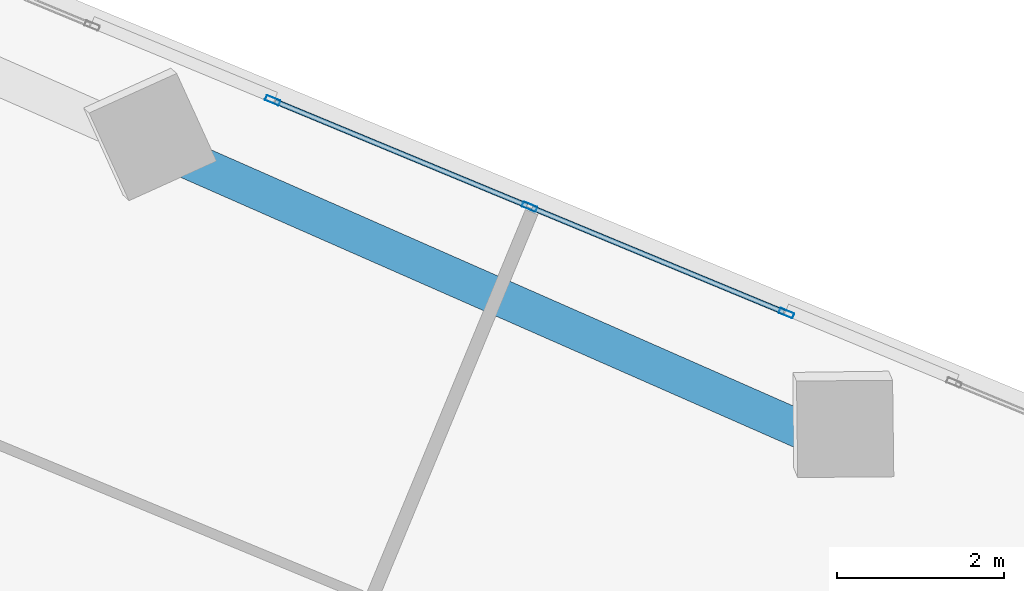
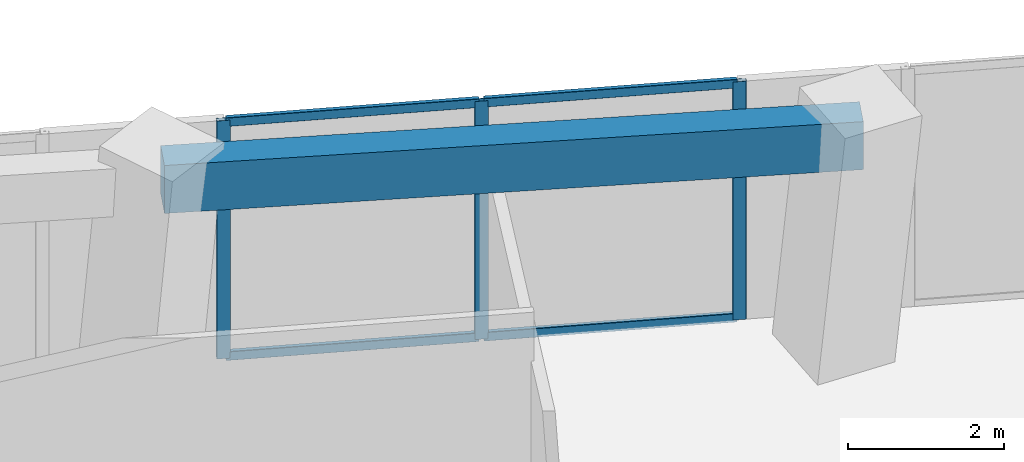
# One storey, part 16 of 23: 7 members, 1 beam, 1 element without a shape of its own.
"""IFC4 building model written with IfcOpenShell, lengths in metres."""

from ifc_helpers import new_model, si_unit, direction, frame, origin, origin_2d, place, context, subcontext, project, spatial, rectangle, hollow_rectangle, extrude, source, transform, mapped, material, material_profile, profile_set, type_object, element, aggregate, save


model = new_model("IFC4")

# Units and contexts
model_context = context("Model", 3, precision=1e-05, world=origin(), true_north=direction((0.0, 1.0)))
body_context = subcontext(model_context, "Body", "Model", "MODEL_VIEW")
ifc_project = project(units=[si_unit("LENGTHUNIT", "METRE"), si_unit("AREAUNIT", "SQUARE_METRE"), si_unit("VOLUMEUNIT", "CUBIC_METRE"), si_unit("PLANEANGLEUNIT", "RADIAN"), si_unit("MASSUNIT", "GRAM", prefix="KILO")], contexts=[model_context])

# Site, building, storey
site_placement = place(None, origin())
site = spatial("IfcSite", under=ifc_project, at=site_placement, CompositionType="ELEMENT")
building_placement = place(site_placement, origin())
building = spatial("IfcBuilding", under=site, at=building_placement, Name="Torre Montelarca", CompositionType="ELEMENT")
storey_placement = place(building_placement, frame((0.0, 0.0, 145.60009765625)))
storey = spatial("IfcBuildingStorey", under=building, at=storey_placement, Name="L32", CompositionType="ELEMENT", Elevation=145.60009765625)

# Beam
ifc_material_1 = material(Name="Concrete C55/67", Category="concrete")
ifc_material_profile_1 = material_profile(ifc_material_1, rectangle(XDim=0.449951171875, YDim=0.75, at=origin_2d()), Name="RCB450X750", Category="concrete")
ifc_profile_set_1 = profile_set([ifc_material_profile_1], Name="Concrete C55/67")
beam_type = type_object("IfcBeamType", Name="BM-SP-RC750-EXT", PredefinedType="SPANDREL", material=ifc_profile_set_1)
shared_shape_1 = source(origin(), body_context, "Body", "SweptSolid", [
    extrude(rectangle(XDim=0.449951171875, YDim=0.75, at=origin_2d()), origin(), (0.0, 0.0, 1.0), 9.0),
])
beam_placement = place(storey_placement, frame((32.6357421875, 43.65185546875, 3.5849609375), z_axis=(0.915309832452, -0.402750432174, 0.0), x_axis=(0.402750432174, 0.915309832452, 0.0)))
element("IfcBeam", 1, at=beam_placement, inside=storey, type_object=beam_type, Name="L32 Grid Girder X 27.0-36.0 at Y=47.1", PredefinedType="SPANDREL", context=body_context, shape_type="MappedRepresentation", body=[
    mapped(shared_shape_1, transform((0.0, 0.0, 0.0), scale=1.0)),
])

# Curtain wall, members
ifc_material_2 = material(Name="Insulated low-E laminated glass", Category="glass")
curtain_wall_type = type_object("IfcCurtainWallType", Name="CW-SYS-Z2", PredefinedType="USERDEFINED", material=ifc_material_2)
curtain_wall_placement = place(storey_placement, origin())
curtain_wall = element("IfcCurtainWall", 2, at=curtain_wall_placement, inside=storey, type_object=curtain_wall_type, Name="L32 Curtain Wall Run CW-T3-L32-E08-B2", ObjectType="UNITISED GLAZING", PredefinedType="USERDEFINED")
ifc_material_3 = material(Name="Anodised aluminium AA 6063-T6", Category="aluminium")
ifc_material_profile_2 = material_profile(ifc_material_3, hollow_rectangle(XDim=0.06494140625, YDim=0.179931640625, WallThickness=0.00390625, InnerFilletRadius=0.00390625, OuterFilletRadius=0.008056640625, at=origin_2d()), Name="ALU65X180X4", Category="aluminium")
ifc_profile_set_2 = profile_set([ifc_material_profile_2], Name="Anodised aluminium AA 6063-T6")
member_type_1 = type_object("IfcMemberType", Name="CWM-ALU180", PredefinedType="MULLION", material=ifc_profile_set_2)
shared_shape_2 = source(origin(), body_context, "Body", "SweptSolid", [
    extrude(hollow_rectangle(XDim=0.06494140625, YDim=0.179931640625, WallThickness=0.00390625, InnerFilletRadius=0.00390625, OuterFilletRadius=0.008056640625, at=origin_2d()), origin(), (0.0, 0.0, 1.0), 3.719970703125),
])
member_1_placement = place(storey_placement, frame((40.041259765625, 41.714111328125, 0.0), z_axis=(0.0, 0.0, 1.0), x_axis=(-0.382681405565, -0.923880372037, 0.0)))
member_1 = element("IfcMember", 3, at=member_1_placement, type_object=member_type_1, Name="CW mullion 1", PredefinedType="MULLION", context=body_context, shape_type="MappedRepresentation", body=[
    mapped(shared_shape_2, transform((0.0, 0.0, 0.0), scale=1.0)),
])
member_2_placement = place(storey_placement, frame((36.964599609375, 42.988525390625, 0.0), z_axis=(0.0, 0.0, 1.0), x_axis=(-0.382681405565, -0.923880372037, 0.0)))
member_2 = element("IfcMember", 4, at=member_2_placement, type_object=member_type_1, Name="CW mullion 2", PredefinedType="MULLION", context=body_context, shape_type="MappedRepresentation", body=[
    mapped(shared_shape_2, transform((0.0, 0.0, 0.0), scale=1.0)),
])
member_3_placement = place(storey_placement, frame((33.887939453125, 44.262939453125, 0.0), z_axis=(0.0, 0.0, 1.0), x_axis=(-0.382681405565, -0.923880372037, 0.0)))
member_3 = element("IfcMember", 5, at=member_3_placement, type_object=member_type_1, Name="CW mullion 3", PredefinedType="MULLION", context=body_context, shape_type="MappedRepresentation", body=[
    mapped(shared_shape_2, transform((0.0, 0.0, 0.0), scale=1.0)),
])
ifc_material_profile_3 = material_profile(ifc_material_3, hollow_rectangle(XDim=0.06494140625, YDim=0.139892578125, WallThickness=0.00390625, InnerFilletRadius=0.00390625, OuterFilletRadius=0.008056640625, at=origin_2d()), Name="ALU65X140X4", Category="aluminium")
ifc_profile_set_3 = profile_set([ifc_material_profile_3], Name="Anodised aluminium AA 6063-T6")
member_type_2 = type_object("IfcMemberType", Name="CWT-ALU140", PredefinedType="USERDEFINED", material=ifc_profile_set_3)
shared_shape_3 = source(origin(), body_context, "Body", "SweptSolid", [
    extrude(hollow_rectangle(XDim=0.06494140625, YDim=0.139892578125, WallThickness=0.00390625, InnerFilletRadius=0.00390625, OuterFilletRadius=0.008056640625, at=origin_2d()), origin(), (0.0, 0.0, 1.0), 3.26513671875),
])
member_4_placement = place(storey_placement, frame((40.01123046875, 41.7265625, 0.032470703125), z_axis=(-0.92388013463, 0.382681978718, 0.0), x_axis=(-0.382681978718, -0.92388013463, 0.0)))
member_4 = element("IfcMember", 6, at=member_4_placement, type_object=member_type_2, Name="CW transom 1.1", ObjectType="TRANSOM", PredefinedType="USERDEFINED", context=body_context, shape_type="MappedRepresentation", body=[
    mapped(shared_shape_3, transform((0.0, 0.0, 0.0), scale=1.0)),
])
member_5_placement = place(storey_placement, frame((40.01123046875, 41.7265625, 3.6875), z_axis=(-0.92388013463, 0.382681978718, 0.0), x_axis=(-0.382681978718, -0.92388013463, 0.0)))
member_5 = element("IfcMember", 7, at=member_5_placement, type_object=member_type_2, Name="CW transom 1.2", ObjectType="TRANSOM", PredefinedType="USERDEFINED", context=body_context, shape_type="MappedRepresentation", body=[
    mapped(shared_shape_3, transform((0.0, 0.0, 0.0), scale=1.0)),
])
member_6_placement = place(storey_placement, frame((36.9345703125, 43.0009765625, 0.032470703125), z_axis=(-0.92388013463, 0.382681978718, 0.0), x_axis=(-0.382681978718, -0.92388013463, 0.0)))
member_6 = element("IfcMember", 8, at=member_6_placement, type_object=member_type_2, Name="CW transom 2.1", ObjectType="TRANSOM", PredefinedType="USERDEFINED", context=body_context, shape_type="MappedRepresentation", body=[
    mapped(shared_shape_3, transform((0.0, 0.0, 0.0), scale=1.0)),
])
member_7_placement = place(storey_placement, frame((36.9345703125, 43.0009765625, 3.6875), z_axis=(-0.92388013463, 0.382681978718, 0.0), x_axis=(-0.382681978718, -0.92388013463, 0.0)))
member_7 = element("IfcMember", 9, at=member_7_placement, type_object=member_type_2, Name="CW transom 2.2", ObjectType="TRANSOM", PredefinedType="USERDEFINED", context=body_context, shape_type="MappedRepresentation", body=[
    mapped(shared_shape_3, transform((0.0, 0.0, 0.0), scale=1.0)),
])
aggregate(curtain_wall, [member_1, member_2, member_3, member_4, member_5, member_6, member_7])

save(model, "model.ifc")
